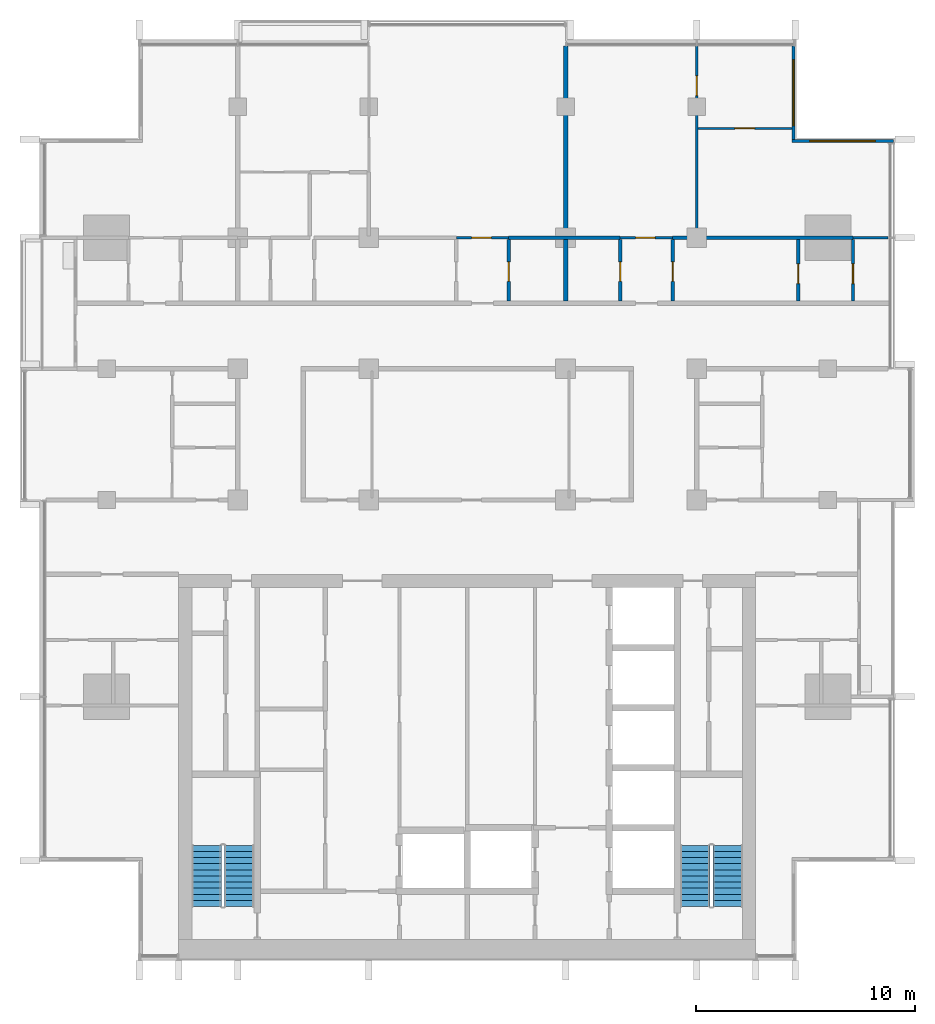
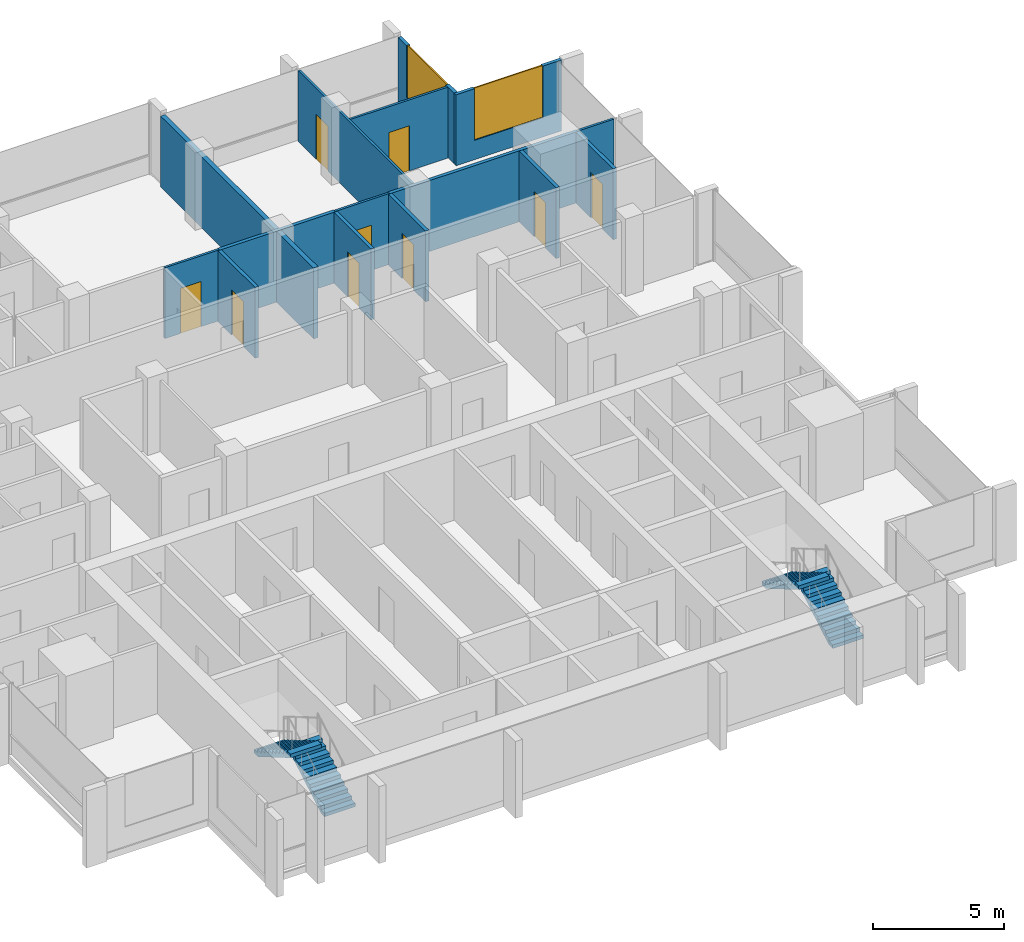
# One storey, part 11 of 16: 16 walls, 9 doors, 4 stair flights, 2 windows, 11 openings, 2 elements without a shape of their own.
"""IFC4 building model written with IfcOpenShell, lengths in metres."""

from ifc_helpers import new_model, si_unit, direction, frame, frame_2d, origin, place, context, subcontext, project, spatial, polyline, rectangle, outline, extrude, material, layer, layer_set, type_object, element, fill, aggregate, save


model = new_model("IFC4")

# Units and contexts
model_context = context("Model", 3, precision=1e-05, world=origin(), true_north=direction((0.0, 1.0)))
body_context = subcontext(model_context, "Body", "Model", "MODEL_VIEW")
ifc_project = project(units=[si_unit("LENGTHUNIT", "METRE"), si_unit("AREAUNIT", "SQUARE_METRE"), si_unit("VOLUMEUNIT", "CUBIC_METRE"), si_unit("PLANEANGLEUNIT", "RADIAN"), si_unit("MASSUNIT", "GRAM", prefix="KILO")], contexts=[model_context])

# Site, building, storey
site_placement = place(None, origin())
site = spatial("IfcSite", under=ifc_project, at=site_placement, CompositionType="ELEMENT")
building_placement = place(site_placement, origin())
building = spatial("IfcBuilding", under=site, at=building_placement, Name="Finial Court Residences", CompositionType="ELEMENT")
storey_placement = place(building_placement, frame((0.0, 0.0, 223.10009765625)))
storey = spatial("IfcBuildingStorey", under=building, at=storey_placement, Name="L56", CompositionType="ELEMENT", Elevation=223.10009765625)

# Walls
ifc_material_1 = material(Name="Gypsum board")
ifc_layer_1 = layer(ifc_material_1, 0.02490234375)
ifc_material_2 = material(Name="Acoustic mineral wool in double frame")
ifc_layer_2 = layer(ifc_material_2, 0.14990234375)
ifc_layer_3 = layer(ifc_material_1, 0.02490234375)
ifc_layer_set_1 = layer_set([ifc_layer_1, ifc_layer_2, ifc_layer_3], Name="Acoustic party wall 200, 1 hour")
wall_type_1 = type_object("IfcWallType", Name="Acoustic party wall 200, 1 hour", PredefinedType="PARTITIONING", material=ifc_layer_set_1)
wall_1_placement = place(storey_placement, frame((4.5, 4.60009765625, 0.0), z_axis=(0.0, 0.0, 1.0), x_axis=(0.0, 1.0, 0.0)))
element("IfcWall", 1, at=wall_1_placement, inside=storey, type_object=wall_type_1, Name="Partition L56-048", PredefinedType="PARTITIONING", context=body_context, shape_type="SweptSolid", body=[
    extrude(rectangle(XDim=2.824951171875, YDim=0.199951171875, at=frame_2d((1.41259765625, 0.0))), origin(), (0.0, 0.0, 1.0), 3.2998046875),
])
wall_2_placement = place(storey_placement, frame((4.5, 7.574951171875, 0.0), z_axis=(0.0, 0.0, 1.0), x_axis=(0.0, 1.0, 0.0)))
element("IfcWall", 2, at=wall_2_placement, inside=storey, type_object=wall_type_1, Name="Partition L56-049", PredefinedType="PARTITIONING", context=body_context, shape_type="SweptSolid", body=[
    extrude(rectangle(XDim=8.6875, YDim=0.199951171875, at=frame_2d((4.34375, 0.0))), origin(), (0.0, 0.0, 1.0), 3.2998046875),
])

# Wall, opening, door
ifc_layer_4 = layer(ifc_material_1, 0.012451171875)
ifc_material_3 = material(Name="Mineral wool in light-gauge frame")
ifc_layer_5 = layer(ifc_material_3, 0.074951171875)
ifc_layer_6 = layer(ifc_material_1, 0.012451171875)
ifc_layer_set_2 = layer_set([ifc_layer_4, ifc_layer_5, ifc_layer_6], Name="Gypsum board partition 100")
wall_type_2 = type_object("IfcWallType", Name="Gypsum board partition 100", PredefinedType="PARTITIONING", material=ifc_layer_set_2)
wall_3_placement = place(storey_placement, frame((-0.5, 7.5, 0.0), z_axis=(0.0, 0.0, 1.0), x_axis=(1.0, 0.0, 0.0)))
wall_3 = element("IfcWall", 3, at=wall_3_placement, inside=storey, type_object=wall_type_2, Name="Partition L56-019", PredefinedType="PARTITIONING", context=body_context, shape_type="SweptSolid", body=[
    extrude(rectangle(XDim=2.39990234375, YDim=0.10009765625, at=frame_2d((1.199951171875, 0.0))), origin(), (0.0, 0.0, 1.0), 3.2998046875),
])
opening_1_placement = place(wall_3_placement, frame((0.699951171875, 0.0, 0.0)))
opening_1 = element("IfcOpeningElement", 4, at=opening_1_placement, cuts=wall_3, Name="Opening L56-D020", PredefinedType="OPENING", context=body_context, shape_type="SweptSolid", body=[
    extrude(rectangle(XDim=0.89990234375, YDim=2.10009765625, at=frame_2d((0.449951171875, 1.050048828125))), frame((0.0, 0.06005859375, 0.0), z_axis=(0.0, -1.0, 0.0), x_axis=(1.0, 0.0, 0.0)), (0.0, 0.0, 1.0), 0.1201171875),
])
ifc_material_4 = material(Name="Timber door leaf in timber frame", Category="wood")
door_type = type_object("IfcDoorType", Name="Door set 900 x 2100", OperationType="SINGLE_SWING_LEFT", PredefinedType="DOOR", material=ifc_material_4)
door_1_placement = place(opening_1_placement, origin())
door_1 = element("IfcDoor", 5, at=door_1_placement, inside=storey, type_object=door_type, Name="Door L56-D020", OperationType="SINGLE_SWING_LEFT", OverallHeight=2.10009765625, OverallWidth=0.89990234375, PredefinedType="DOOR", context=body_context, shape_type="SweptSolid", body=[
    extrude(rectangle(XDim=0.89990234375, YDim=2.10009765625, at=frame_2d((0.449951171875, 1.050048828125))), frame((0.0, 0.02490234375, 0.0), z_axis=(0.0, -1.0, 0.0), x_axis=(1.0, 0.0, 0.0)), (0.0, 0.0, 1.0), 0.050048828125),
])
fill(opening_1, door_1)

wall_4_placement = place(storey_placement, frame((7.0, 7.5, 0.0), z_axis=(0.0, 0.0, 1.0), x_axis=(1.0, 0.0, 0.0)))
wall_4 = element("IfcWall", 6, at=wall_4_placement, inside=storey, type_object=wall_type_2, Name="Partition L56-020", PredefinedType="PARTITIONING", context=body_context, shape_type="SweptSolid", body=[
    extrude(rectangle(XDim=2.39990234375, YDim=0.10009765625, at=frame_2d((1.199951171875, 0.0))), origin(), (0.0, 0.0, 1.0), 3.2998046875),
])
opening_2_placement = place(wall_4_placement, frame((0.699951171875, 0.0, 0.0)))
opening_2 = element("IfcOpeningElement", 7, at=opening_2_placement, cuts=wall_4, Name="Opening L56-D021", PredefinedType="OPENING", context=body_context, shape_type="SweptSolid", body=[
    extrude(rectangle(XDim=0.89990234375, YDim=2.10009765625, at=frame_2d((0.449951171875, 1.050048828125))), frame((0.0, 0.06005859375, 0.0), z_axis=(0.0, -1.0, 0.0), x_axis=(1.0, 0.0, 0.0)), (0.0, 0.0, 1.0), 0.1201171875),
])
door_2_placement = place(opening_2_placement, origin())
door_2 = element("IfcDoor", 8, at=door_2_placement, inside=storey, type_object=door_type, Name="Door L56-D021", OperationType="SINGLE_SWING_RIGHT", OverallHeight=2.10009765625, OverallWidth=0.89990234375, PredefinedType="DOOR", context=body_context, shape_type="SweptSolid", body=[
    extrude(rectangle(XDim=0.89990234375, YDim=2.10009765625, at=frame_2d((0.449951171875, 1.050048828125))), frame((0.0, 0.02490234375, 0.0), z_axis=(0.0, -1.0, 0.0), x_axis=(1.0, 0.0, 0.0)), (0.0, 0.0, 1.0), 0.050048828125),
])
fill(opening_2, door_2)

# Wall
wall_5_placement = place(storey_placement, frame((17.64990234375, 7.5, 0.0), z_axis=(0.0, 0.0, 1.0), x_axis=(1.0, 0.0, 0.0)))
element("IfcWall", 9, at=wall_5_placement, inside=storey, type_object=wall_type_2, Name="Partition L56-021", PredefinedType="PARTITIONING", context=body_context, shape_type="SweptSolid", body=[
    extrude(rectangle(XDim=1.612548828125, YDim=0.10009765625, at=frame_2d((0.80615234375, 0.0))), origin(), (0.0, 0.0, 1.0), 3.2998046875),
])

# Wall, opening, door
wall_6_placement = place(storey_placement, frame((10.550048828125, 12.5, 0.0), z_axis=(0.0, 0.0, 1.0), x_axis=(1.0, 0.0, 0.0)))
wall_6 = element("IfcWall", 10, at=wall_6_placement, inside=storey, type_object=wall_type_2, Name="Partition L56-030", PredefinedType="PARTITIONING", context=body_context, shape_type="SweptSolid", body=[
    extrude(rectangle(XDim=4.300048828125, YDim=0.10009765625, at=frame_2d((2.14990234375, 0.0))), origin(), (0.0, 0.0, 1.0), 3.2998046875),
])
opening_3_placement = place(wall_6_placement, frame((1.699951171875, 0.0, 0.0)))
opening_3 = element("IfcOpeningElement", 11, at=opening_3_placement, cuts=wall_6, Name="Opening L56-D024", PredefinedType="OPENING", context=body_context, shape_type="SweptSolid", body=[
    extrude(rectangle(XDim=0.89990234375, YDim=2.10009765625, at=frame_2d((0.449951171875, 1.050048828125))), frame((0.0, 0.06005859375, 0.0), z_axis=(0.0, -1.0, 0.0), x_axis=(1.0, 0.0, 0.0)), (0.0, 0.0, 1.0), 0.1201171875),
])
door_3_placement = place(opening_3_placement, origin())
door_3 = element("IfcDoor", 12, at=door_3_placement, inside=storey, type_object=door_type, Name="Door L56-D024", OperationType="SINGLE_SWING_RIGHT", OverallHeight=2.10009765625, OverallWidth=0.89990234375, PredefinedType="DOOR", context=body_context, shape_type="SweptSolid", body=[
    extrude(rectangle(XDim=0.89990234375, YDim=2.10009765625, at=frame_2d((0.449951171875, 1.050048828125))), frame((0.0, 0.02490234375, 0.0), z_axis=(0.0, -1.0, 0.0), x_axis=(1.0, 0.0, 0.0)), (0.0, 0.0, 1.0), 0.050048828125),
])
fill(opening_3, door_3)

wall_7_placement = place(storey_placement, frame((10.5, 7.574951171875, 0.0), z_axis=(0.0, 0.0, 1.0), x_axis=(0.0, 1.0, 0.0)))
wall_7 = element("IfcWall", 13, at=wall_7_placement, inside=storey, type_object=wall_type_2, Name="Partition L56-055", PredefinedType="PARTITIONING", context=body_context, shape_type="SweptSolid", body=[
    extrude(rectangle(XDim=8.6875, YDim=0.10009765625, at=frame_2d((4.34375, 0.0))), origin(), (0.0, 0.0, 1.0), 3.2998046875),
])
opening_4_placement = place(wall_7_placement, frame((6.425048828125, 0.0, 0.0)))
opening_4 = element("IfcOpeningElement", 14, at=opening_4_placement, cuts=wall_7, Name="Opening L56-D036", PredefinedType="OPENING", context=body_context, shape_type="SweptSolid", body=[
    extrude(rectangle(XDim=0.89990234375, YDim=2.10009765625, at=frame_2d((0.449951171875, 1.050048828125))), frame((0.0, 0.06005859375, 0.0), z_axis=(0.0, -1.0, 0.0), x_axis=(1.0, 0.0, 0.0)), (0.0, 0.0, 1.0), 0.1201171875),
])
door_4_placement = place(opening_4_placement, origin())
door_4 = element("IfcDoor", 15, at=door_4_placement, inside=storey, type_object=door_type, Name="Door L56-D036", OperationType="SINGLE_SWING_RIGHT", OverallHeight=2.10009765625, OverallWidth=0.89990234375, PredefinedType="DOOR", context=body_context, shape_type="SweptSolid", body=[
    extrude(rectangle(XDim=0.89990234375, YDim=2.10009765625, at=frame_2d((0.449951171875, 1.050048828125))), frame((0.0, 0.02490234375, 0.0), z_axis=(0.0, -1.0, 0.0), x_axis=(1.0, 0.0, 0.0)), (0.0, 0.0, 1.0), 0.050048828125),
])
fill(opening_4, door_4)

# Walls
ifc_material_5 = material(Name="Moisture-resistant gypsum board")
ifc_layer_7 = layer(ifc_material_5, 0.012451171875)
ifc_layer_8 = layer(ifc_material_3, 0.125)
ifc_layer_9 = layer(ifc_material_5, 0.012451171875)
ifc_layer_set_3 = layer_set([ifc_layer_7, ifc_layer_8, ifc_layer_9], Name="Gypsum board wet-area partition 150")
wall_type_3 = type_object("IfcWallType", Name="Gypsum board wet-area partition 150", PredefinedType="PARTITIONING", material=ifc_layer_set_3)
wall_8_placement = place(storey_placement, frame((1.89990234375, 7.5, 0.0), z_axis=(0.0, 0.0, 1.0), x_axis=(1.0, 0.0, 0.0)))
element("IfcWall", 16, at=wall_8_placement, inside=storey, type_object=wall_type_3, Name="Partition L56-026", PredefinedType="PARTITIONING", context=body_context, shape_type="SweptSolid", body=[
    extrude(rectangle(XDim=5.10009765625, YDim=0.14990234375, at=frame_2d((2.550048828125, 0.0))), origin(), (0.0, 0.0, 1.0), 3.2998046875),
])
wall_9_placement = place(storey_placement, frame((9.39990234375, 7.5, 0.0), z_axis=(0.0, 0.0, 1.0), x_axis=(1.0, 0.0, 0.0)))
element("IfcWall", 17, at=wall_9_placement, inside=storey, type_object=wall_type_3, Name="Partition L56-027", PredefinedType="PARTITIONING", context=body_context, shape_type="SweptSolid", body=[
    extrude(rectangle(XDim=8.25, YDim=0.14990234375, at=frame_2d((4.125, 0.0))), origin(), (0.0, 0.0, 1.0), 3.2998046875),
])

# Wall, opening, door
wall_10_placement = place(storey_placement, frame((1.89990234375, 4.60009765625, 0.0), z_axis=(0.0, 0.0, 1.0), x_axis=(0.0, 1.0, 0.0)))
wall_10 = element("IfcWall", 18, at=wall_10_placement, inside=storey, type_object=wall_type_3, Name="Partition L56-047", PredefinedType="PARTITIONING", context=body_context, shape_type="SweptSolid", body=[
    extrude(rectangle(XDim=2.824951171875, YDim=0.14990234375, at=frame_2d((1.41259765625, 0.0))), origin(), (0.0, 0.0, 1.0), 3.2998046875),
])
opening_5_placement = place(wall_10_placement, frame((0.89990234375, 0.0, 0.0)))
opening_5 = element("IfcOpeningElement", 19, at=opening_5_placement, cuts=wall_10, Name="Opening L56-D033", PredefinedType="OPENING", context=body_context, shape_type="SweptSolid", body=[
    extrude(rectangle(XDim=0.89990234375, YDim=2.10009765625, at=frame_2d((0.449951171875, 1.050048828125))), frame((0.0, 0.0849609375, 0.0), z_axis=(0.0, -1.0, 0.0), x_axis=(1.0, 0.0, 0.0)), (0.0, 0.0, 1.0), 0.169921875),
])
door_5_placement = place(opening_5_placement, origin())
door_5 = element("IfcDoor", 20, at=door_5_placement, inside=storey, type_object=door_type, Name="Door L56-D033", OperationType="SINGLE_SWING_RIGHT", OverallHeight=2.10009765625, OverallWidth=0.89990234375, PredefinedType="DOOR", context=body_context, shape_type="SweptSolid", body=[
    extrude(rectangle(XDim=0.89990234375, YDim=2.10009765625, at=frame_2d((0.449951171875, 1.050048828125))), frame((0.0, 0.02490234375, 0.0), z_axis=(0.0, -1.0, 0.0), x_axis=(1.0, 0.0, 0.0)), (0.0, 0.0, 1.0), 0.050048828125),
])
fill(opening_5, door_5)

wall_11_placement = place(storey_placement, frame((7.0, 4.60009765625, 0.0), z_axis=(0.0, 0.0, 1.0), x_axis=(0.0, 1.0, 0.0)))
wall_11 = element("IfcWall", 21, at=wall_11_placement, inside=storey, type_object=wall_type_3, Name="Partition L56-051", PredefinedType="PARTITIONING", context=body_context, shape_type="SweptSolid", body=[
    extrude(rectangle(XDim=2.824951171875, YDim=0.14990234375, at=frame_2d((1.41259765625, 0.0))), origin(), (0.0, 0.0, 1.0), 3.2998046875),
])
opening_6_placement = place(wall_11_placement, frame((0.89990234375, 0.0, 0.0)))
opening_6 = element("IfcOpeningElement", 22, at=opening_6_placement, cuts=wall_11, Name="Opening L56-D034", PredefinedType="OPENING", context=body_context, shape_type="SweptSolid", body=[
    extrude(rectangle(XDim=0.89990234375, YDim=2.10009765625, at=frame_2d((0.449951171875, 1.050048828125))), frame((0.0, 0.0849609375, 0.0), z_axis=(0.0, -1.0, 0.0), x_axis=(1.0, 0.0, 0.0)), (0.0, 0.0, 1.0), 0.169921875),
])
door_6_placement = place(opening_6_placement, origin())
door_6 = element("IfcDoor", 23, at=door_6_placement, inside=storey, type_object=door_type, Name="Door L56-D034", OperationType="SINGLE_SWING_LEFT", OverallHeight=2.10009765625, OverallWidth=0.89990234375, PredefinedType="DOOR", context=body_context, shape_type="SweptSolid", body=[
    extrude(rectangle(XDim=0.89990234375, YDim=2.10009765625, at=frame_2d((0.449951171875, 1.050048828125))), frame((0.0, 0.02490234375, 0.0), z_axis=(0.0, -1.0, 0.0), x_axis=(1.0, 0.0, 0.0)), (0.0, 0.0, 1.0), 0.050048828125),
])
fill(opening_6, door_6)

wall_12_placement = place(storey_placement, frame((9.39990234375, 4.60009765625, 0.0), z_axis=(0.0, 0.0, 1.0), x_axis=(0.0, 1.0, 0.0)))
wall_12 = element("IfcWall", 24, at=wall_12_placement, inside=storey, type_object=wall_type_3, Name="Partition L56-053", PredefinedType="PARTITIONING", context=body_context, shape_type="SweptSolid", body=[
    extrude(rectangle(XDim=2.824951171875, YDim=0.14990234375, at=frame_2d((1.41259765625, 0.0))), origin(), (0.0, 0.0, 1.0), 3.2998046875),
])
opening_7_placement = place(wall_12_placement, frame((0.89990234375, 0.0, 0.0)))
opening_7 = element("IfcOpeningElement", 25, at=opening_7_placement, cuts=wall_12, Name="Opening L56-D035", PredefinedType="OPENING", context=body_context, shape_type="SweptSolid", body=[
    extrude(rectangle(XDim=0.89990234375, YDim=2.10009765625, at=frame_2d((0.449951171875, 1.050048828125))), frame((0.0, 0.0849609375, 0.0), z_axis=(0.0, -1.0, 0.0), x_axis=(1.0, 0.0, 0.0)), (0.0, 0.0, 1.0), 0.169921875),
])
door_7_placement = place(opening_7_placement, origin())
door_7 = element("IfcDoor", 26, at=door_7_placement, inside=storey, type_object=door_type, Name="Door L56-D035", OperationType="SINGLE_SWING_RIGHT", OverallHeight=2.10009765625, OverallWidth=0.89990234375, PredefinedType="DOOR", context=body_context, shape_type="SweptSolid", body=[
    extrude(rectangle(XDim=0.89990234375, YDim=2.10009765625, at=frame_2d((0.449951171875, 1.050048828125))), frame((0.0, 0.02490234375, 0.0), z_axis=(0.0, -1.0, 0.0), x_axis=(1.0, 0.0, 0.0)), (0.0, 0.0, 1.0), 0.050048828125),
])
fill(opening_7, door_7)

wall_13_placement = place(storey_placement, frame((15.14990234375, 4.60009765625, 0.0), z_axis=(0.0, 0.0, 1.0), x_axis=(0.0, 1.0, 0.0)))
wall_13 = element("IfcWall", 27, at=wall_13_placement, inside=storey, type_object=wall_type_3, Name="Partition L56-058", PredefinedType="PARTITIONING", context=body_context, shape_type="SweptSolid", body=[
    extrude(rectangle(XDim=2.824951171875, YDim=0.14990234375, at=frame_2d((1.41259765625, 0.0))), origin(), (0.0, 0.0, 1.0), 3.2998046875),
])
opening_8_placement = place(wall_13_placement, frame((0.800048828125, 0.0, 0.0)))
opening_8 = element("IfcOpeningElement", 28, at=opening_8_placement, cuts=wall_13, Name="Opening L56-D039", PredefinedType="OPENING", context=body_context, shape_type="SweptSolid", body=[
    extrude(rectangle(XDim=0.89990234375, YDim=2.10009765625, at=frame_2d((0.449951171875, 1.050048828125))), frame((0.0, 0.0849609375, 0.0), z_axis=(0.0, -1.0, 0.0), x_axis=(1.0, 0.0, 0.0)), (0.0, 0.0, 1.0), 0.169921875),
])
door_8_placement = place(opening_8_placement, origin())
door_8 = element("IfcDoor", 29, at=door_8_placement, inside=storey, type_object=door_type, Name="Door L56-D039", OperationType="SINGLE_SWING_LEFT", OverallHeight=2.10009765625, OverallWidth=0.89990234375, PredefinedType="DOOR", context=body_context, shape_type="SweptSolid", body=[
    extrude(rectangle(XDim=0.89990234375, YDim=2.10009765625, at=frame_2d((0.449951171875, 1.050048828125))), frame((0.0, 0.02490234375, 0.0), z_axis=(0.0, -1.0, 0.0), x_axis=(1.0, 0.0, 0.0)), (0.0, 0.0, 1.0), 0.050048828125),
])
fill(opening_8, door_8)

wall_14_placement = place(storey_placement, frame((17.64990234375, 4.60009765625, 0.0), z_axis=(0.0, 0.0, 1.0), x_axis=(0.0, 1.0, 0.0)))
wall_14 = element("IfcWall", 30, at=wall_14_placement, inside=storey, type_object=wall_type_3, Name="Partition L56-060", PredefinedType="PARTITIONING", context=body_context, shape_type="SweptSolid", body=[
    extrude(rectangle(XDim=2.824951171875, YDim=0.14990234375, at=frame_2d((1.41259765625, 0.0))), origin(), (0.0, 0.0, 1.0), 3.2998046875),
])
opening_9_placement = place(wall_14_placement, frame((0.800048828125, 0.0, 0.0)))
opening_9 = element("IfcOpeningElement", 31, at=opening_9_placement, cuts=wall_14, Name="Opening L56-D040", PredefinedType="OPENING", context=body_context, shape_type="SweptSolid", body=[
    extrude(rectangle(XDim=0.89990234375, YDim=2.10009765625, at=frame_2d((0.449951171875, 1.050048828125))), frame((0.0, 0.0849609375, 0.0), z_axis=(0.0, -1.0, 0.0), x_axis=(1.0, 0.0, 0.0)), (0.0, 0.0, 1.0), 0.169921875),
])
door_9_placement = place(opening_9_placement, origin())
door_9 = element("IfcDoor", 32, at=door_9_placement, inside=storey, type_object=door_type, Name="Door L56-D040", OperationType="SINGLE_SWING_LEFT", OverallHeight=2.10009765625, OverallWidth=0.89990234375, PredefinedType="DOOR", context=body_context, shape_type="SweptSolid", body=[
    extrude(rectangle(XDim=0.89990234375, YDim=2.10009765625, at=frame_2d((0.449951171875, 1.050048828125))), frame((0.0, 0.02490234375, 0.0), z_axis=(0.0, -1.0, 0.0), x_axis=(1.0, 0.0, 0.0)), (0.0, 0.0, 1.0), 0.050048828125),
])
fill(opening_9, door_9)

# Wall, opening, window
ifc_material_6 = material(Name="Natural limestone", Category="masonry")
ifc_layer_10 = layer(ifc_material_6, 0.14990234375)
ifc_layer_set_4 = layer_set([ifc_layer_10], Name="Limestone clad wall 150")
wall_type_4 = type_object("IfcWallType", Name="Limestone clad wall 150", PredefinedType="SOLIDWALL", material=ifc_layer_set_4)
wall_15_placement = place(storey_placement, frame((14.925048828125, 16.262451171875, 0.0), z_axis=(0.0, 0.0, 1.0), x_axis=(0.0, -1.0, 0.0)))
wall_15 = element("IfcWall", 33, at=wall_15_placement, inside=storey, type_object=wall_type_4, Name="E-L56-NWE18", PredefinedType="SOLIDWALL", context=body_context, shape_type="SweptSolid", body=[
    extrude(rectangle(XDim=4.262451171875, YDim=0.14990234375, at=frame_2d((2.13134765625, 0.0))), origin(), (0.0, 0.0, 1.0), 3.2998046875),
])
opening_10_placement = place(wall_15_placement, frame((0.631103515625, 0.0, 0.89990234375)))
opening_10 = element("IfcOpeningElement", 34, at=opening_10_placement, cuts=wall_15, Name="Opening WE56-07", PredefinedType="OPENING", context=body_context, shape_type="SweptSolid", body=[
    extrude(rectangle(XDim=3.0, YDim=2.39990234375, at=frame_2d((1.5, 1.199951171875))), frame((0.0, 0.0849609375, 0.0), z_axis=(0.0, -1.0, 0.0), x_axis=(1.0, 0.0, 0.0)), (0.0, 0.0, 1.0), 0.169921875),
])
ifc_material_7 = material(Name="Clear low-e glass", Category="glass")
window_type = type_object("IfcWindowType", Name="Corner window 3000 x 2400", PartitioningType="SINGLE_PANEL", PredefinedType="WINDOW", material=ifc_material_7)
window_1_placement = place(opening_10_placement, origin())
window_1 = element("IfcWindow", 35, at=window_1_placement, inside=storey, type_object=window_type, Name="E-L56-NWE18-W1", OverallHeight=2.39990234375, OverallWidth=3.0, PartitioningType="SINGLE_PANEL", PredefinedType="WINDOW", context=body_context, shape_type="SweptSolid", body=[
    extrude(rectangle(XDim=3.0, YDim=2.39990234375, at=frame_2d((1.5, 1.199951171875))), frame((0.0, 0.030029296875, 0.0), z_axis=(0.0, -1.0, 0.0), x_axis=(1.0, 0.0, 0.0)), (0.0, 0.0, 1.0), 0.06005859375),
])
fill(opening_10, window_1)

wall_16_placement = place(storey_placement, frame((14.85009765625, 11.925048828125, 0.0), z_axis=(0.0, 0.0, 1.0), x_axis=(1.0, 0.0, 0.0)))
wall_16 = element("IfcWall", 36, at=wall_16_placement, inside=storey, type_object=wall_type_4, Name="E-L56-NWN19", PredefinedType="SOLIDWALL", context=body_context, shape_type="SweptSolid", body=[
    extrude(rectangle(XDim=4.64990234375, YDim=0.14990234375, at=frame_2d((2.324951171875, 0.0))), origin(), (0.0, 0.0, 1.0), 3.2998046875),
])
opening_11_placement = place(wall_16_placement, frame((0.824951171875, 0.0, 0.89990234375)))
opening_11 = element("IfcOpeningElement", 37, at=opening_11_placement, cuts=wall_16, Name="Opening WE56-08", PredefinedType="OPENING", context=body_context, shape_type="SweptSolid", body=[
    extrude(rectangle(XDim=3.0, YDim=2.39990234375, at=frame_2d((1.5, 1.199951171875))), frame((0.0, 0.0849609375, 0.0), z_axis=(0.0, -1.0, 0.0), x_axis=(1.0, 0.0, 0.0)), (0.0, 0.0, 1.0), 0.169921875),
])
window_2_placement = place(opening_11_placement, origin())
window_2 = element("IfcWindow", 38, at=window_2_placement, inside=storey, type_object=window_type, Name="E-L56-NWN19-W1", OverallHeight=2.39990234375, OverallWidth=3.0, PartitioningType="SINGLE_PANEL", PredefinedType="WINDOW", context=body_context, shape_type="SweptSolid", body=[
    extrude(rectangle(XDim=3.0, YDim=2.39990234375, at=frame_2d((1.5, 1.199951171875))), frame((0.0, 0.030029296875, 0.0), z_axis=(0.0, -1.0, 0.0), x_axis=(1.0, 0.0, 0.0)), (0.0, 0.0, 1.0), 0.06005859375),
])
fill(opening_11, window_2)

# Stair, stair flights
ifc_material_8 = material(Name="Concrete C50/60", Category="concrete")
stair_type = type_object("IfcStairType", Name="Exit stair 22 risers of 163.6 mm", PredefinedType="HALF_TURN_STAIR", material=ifc_material_8)
stair_1_placement = place(storey_placement, origin())
stair_1 = element("IfcStair", 39, at=stair_1_placement, inside=storey, type_object=stair_type, Name="L56 Exit stair ST-1", PredefinedType="HALF_TURN_STAIR")
stair_flight_type = type_object("IfcStairFlightType", Name="Exit stair flight", PredefinedType="STRAIGHT", material=ifc_material_8)
stair_flight_1_placement = place(storey_placement, frame((-10.425048828125, -23.10009765625, 0.0), z_axis=(0.0, 0.0, 1.0), x_axis=(0.0, 1.0, 0.0)))
stair_flight_1 = element("IfcStairFlight", 40, at=stair_flight_1_placement, type_object=stair_flight_type, Name="ST-1 flight 1", NumberOfRisers=11, NumberOfTreads=10, PredefinedType="STRAIGHT", RiserHeight=0.163636364, TreadLength=0.28, context=body_context, shape_type="SweptSolid", body=[
    extrude(outline(polyline([(0.0, 0.0), (0.0, 0.16357421875), (0.280029296875, 0.16357421875), (0.280029296875, 0.327392578125), (0.56005859375, 0.327392578125), (0.56005859375, 0.490966796875), (0.840087890625, 0.490966796875), (0.840087890625, 0.654541015625), (1.1201171875, 0.654541015625), (1.1201171875, 0.818115234375), (1.39990234375, 0.818115234375), (1.39990234375, 0.98193359375), (1.679931640625, 0.98193359375), (1.679931640625, 1.1455078125), (1.9599609375, 1.1455078125), (1.9599609375, 1.30908203125), (2.239990234375, 1.30908203125), (2.239990234375, 1.47265625), (2.52001953125, 1.47265625), (2.52001953125, 1.636474609375), (2.800048828125, 1.636474609375), (2.800048828125, 1.800048828125), (2.800048828125, 1.462646484375), (0.297119140625, 0.0), (0.0, 0.0)])), frame((0.0, 0.675048828125, 0.0), z_axis=(0.0, -1.0, 0.0), x_axis=(1.0, 0.0, 0.0)), (0.0, 0.0, 1.0), 1.35009765625),
])
stair_flight_2_placement = place(storey_placement, frame((-11.925048828125, -20.300048828125, 1.7998046875), z_axis=(0.0, 0.0, 1.0), x_axis=(0.0, -1.0, 0.0)))
stair_flight_2 = element("IfcStairFlight", 41, at=stair_flight_2_placement, type_object=stair_flight_type, Name="ST-1 flight 2", NumberOfRisers=11, NumberOfTreads=10, PredefinedType="STRAIGHT", RiserHeight=0.163636364, TreadLength=0.28, context=body_context, shape_type="SweptSolid", body=[
    extrude(outline(polyline([(0.0, 0.0), (0.0, 0.16357421875), (0.280029296875, 0.16357421875), (0.280029296875, 0.327392578125), (0.56005859375, 0.327392578125), (0.56005859375, 0.490966796875), (0.840087890625, 0.490966796875), (0.840087890625, 0.654541015625), (1.1201171875, 0.654541015625), (1.1201171875, 0.818115234375), (1.39990234375, 0.818115234375), (1.39990234375, 0.98193359375), (1.679931640625, 0.98193359375), (1.679931640625, 1.1455078125), (1.9599609375, 1.1455078125), (1.9599609375, 1.30908203125), (2.239990234375, 1.30908203125), (2.239990234375, 1.47265625), (2.52001953125, 1.47265625), (2.52001953125, 1.636474609375), (2.800048828125, 1.636474609375), (2.800048828125, 1.800048828125), (2.800048828125, 1.462646484375), (0.297119140625, 0.0), (0.0, 0.0)])), frame((0.0, 0.675048828125, 0.0), z_axis=(0.0, -1.0, 0.0), x_axis=(1.0, 0.0, 0.0)), (0.0, 0.0, 1.0), 1.35009765625),
])
aggregate(stair_1, [stair_flight_1, stair_flight_2])

stair_2_placement = place(storey_placement, origin())
stair_2 = element("IfcStair", 42, at=stair_2_placement, inside=storey, type_object=stair_type, Name="L56 Exit stair ST-2", PredefinedType="HALF_TURN_STAIR")
stair_flight_3_placement = place(storey_placement, frame((11.925048828125, -23.10009765625, 0.0), z_axis=(0.0, 0.0, 1.0), x_axis=(0.0, 1.0, 0.0)))
stair_flight_3 = element("IfcStairFlight", 43, at=stair_flight_3_placement, type_object=stair_flight_type, Name="ST-2 flight 1", NumberOfRisers=11, NumberOfTreads=10, PredefinedType="STRAIGHT", RiserHeight=0.163636364, TreadLength=0.28, context=body_context, shape_type="SweptSolid", body=[
    extrude(outline(polyline([(0.0, 0.0), (0.0, 0.16357421875), (0.280029296875, 0.16357421875), (0.280029296875, 0.327392578125), (0.56005859375, 0.327392578125), (0.56005859375, 0.490966796875), (0.840087890625, 0.490966796875), (0.840087890625, 0.654541015625), (1.1201171875, 0.654541015625), (1.1201171875, 0.818115234375), (1.39990234375, 0.818115234375), (1.39990234375, 0.98193359375), (1.679931640625, 0.98193359375), (1.679931640625, 1.1455078125), (1.9599609375, 1.1455078125), (1.9599609375, 1.30908203125), (2.239990234375, 1.30908203125), (2.239990234375, 1.47265625), (2.52001953125, 1.47265625), (2.52001953125, 1.636474609375), (2.800048828125, 1.636474609375), (2.800048828125, 1.800048828125), (2.800048828125, 1.462646484375), (0.297119140625, 0.0), (0.0, 0.0)])), frame((0.0, 0.675048828125, 0.0), z_axis=(0.0, -1.0, 0.0), x_axis=(1.0, 0.0, 0.0)), (0.0, 0.0, 1.0), 1.35009765625),
])
stair_flight_4_placement = place(storey_placement, frame((10.425048828125, -20.300048828125, 1.7998046875), z_axis=(0.0, 0.0, 1.0), x_axis=(0.0, -1.0, 0.0)))
stair_flight_4 = element("IfcStairFlight", 44, at=stair_flight_4_placement, type_object=stair_flight_type, Name="ST-2 flight 2", NumberOfRisers=11, NumberOfTreads=10, PredefinedType="STRAIGHT", RiserHeight=0.163636364, TreadLength=0.28, context=body_context, shape_type="SweptSolid", body=[
    extrude(outline(polyline([(0.0, 0.0), (0.0, 0.16357421875), (0.280029296875, 0.16357421875), (0.280029296875, 0.327392578125), (0.56005859375, 0.327392578125), (0.56005859375, 0.490966796875), (0.840087890625, 0.490966796875), (0.840087890625, 0.654541015625), (1.1201171875, 0.654541015625), (1.1201171875, 0.818115234375), (1.39990234375, 0.818115234375), (1.39990234375, 0.98193359375), (1.679931640625, 0.98193359375), (1.679931640625, 1.1455078125), (1.9599609375, 1.1455078125), (1.9599609375, 1.30908203125), (2.239990234375, 1.30908203125), (2.239990234375, 1.47265625), (2.52001953125, 1.47265625), (2.52001953125, 1.636474609375), (2.800048828125, 1.636474609375), (2.800048828125, 1.800048828125), (2.800048828125, 1.462646484375), (0.297119140625, 0.0), (0.0, 0.0)])), frame((0.0, 0.675048828125, 0.0), z_axis=(0.0, -1.0, 0.0), x_axis=(1.0, 0.0, 0.0)), (0.0, 0.0, 1.0), 1.35009765625),
])
aggregate(stair_2, [stair_flight_3, stair_flight_4])

save(model, "model.ifc")
